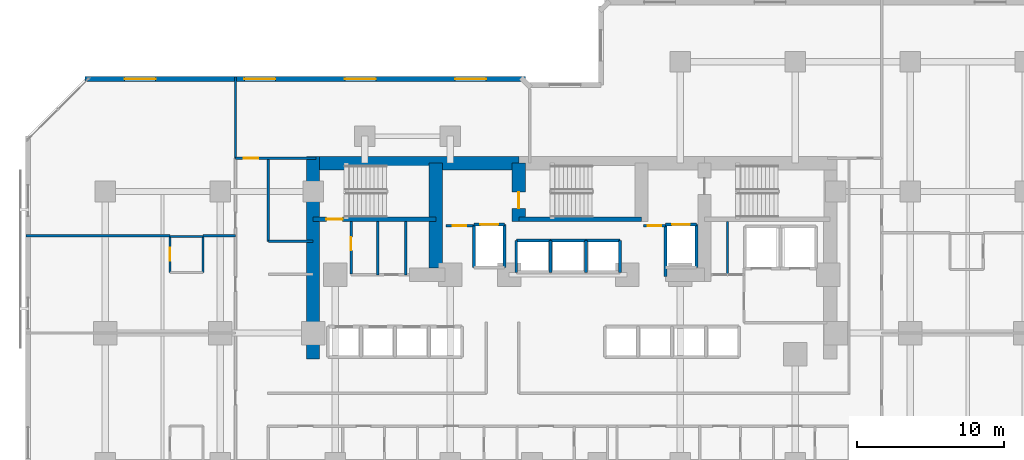
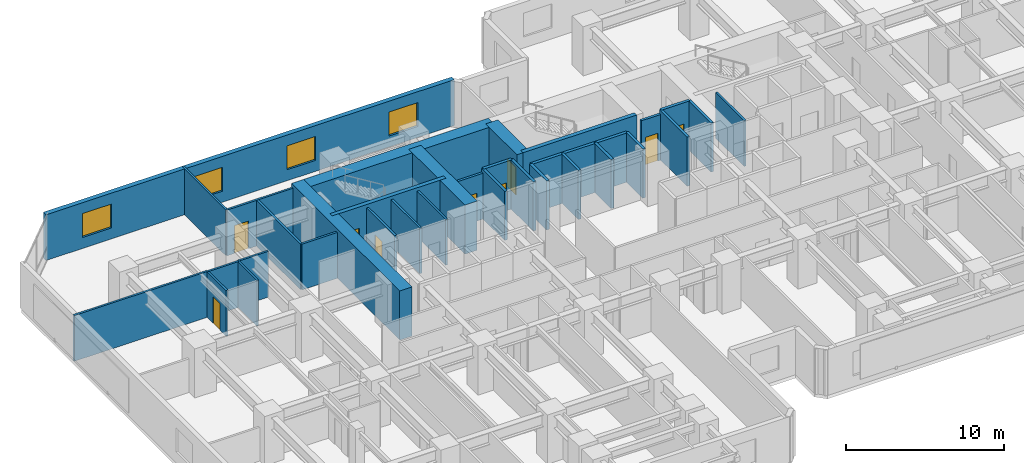
# One storey, part 8 of 12: 35 walls, 9 doors, 4 windows, 13 openings.
"""IFC4 building model written with IfcOpenShell, lengths in metres."""

from ifc_helpers import new_model, si_unit, direction, frame, frame_2d, origin, place, context, subcontext, project, spatial, rectangle, extrude, material, layer, layer_set, type_object, element, fill, save


model = new_model("IFC4")

# Units and contexts
model_context = context("Model", 3, precision=1e-05, world=origin(), true_north=direction((0.0, 1.0)))
body_context = subcontext(model_context, "Body", "Model", "MODEL_VIEW")
ifc_project = project(units=[si_unit("LENGTHUNIT", "METRE"), si_unit("AREAUNIT", "SQUARE_METRE"), si_unit("VOLUMEUNIT", "CUBIC_METRE"), si_unit("PLANEANGLEUNIT", "RADIAN"), si_unit("MASSUNIT", "GRAM", prefix="KILO")], contexts=[model_context])

# Site, building, storey
site_placement = place(None, origin())
site = spatial("IfcSite", under=ifc_project, at=site_placement, CompositionType="ELEMENT")
building_placement = place(site_placement, origin())
building = spatial("IfcBuilding", under=site, at=building_placement, Name="Kestravale Grand Hotel", CompositionType="ELEMENT")
storey_placement = place(building_placement, frame((0.0, 0.0, 41.199951171875)))
storey = spatial("IfcBuildingStorey", under=building, at=storey_placement, Name="L09", CompositionType="ELEMENT", Elevation=41.199951171875)

# Walls
ifc_material_1 = material(Name="Concrete f'c 70 MPa", Category="concrete")
ifc_layer_1 = layer(ifc_material_1, 0.89990234375)
ifc_layer_set_1 = layer_set([ifc_layer_1], Name="EW-CORE-900")
wall_type_1 = type_object("IfcWallType", Name="EW-CORE-900", PredefinedType="SHEAR", material=ifc_layer_set_1)
wall_1_placement = place(storey_placement, frame((21.449951171875, 40.320068359375, 0.0), z_axis=(0.0, 0.0, 1.0), x_axis=(1.0, 0.0, 0.0)))
element("IfcWall", 1, at=wall_1_placement, inside=storey, type_object=wall_type_1, Name="L09 core shear wall N1", PredefinedType="SHEAR", context=body_context, shape_type="SweptSolid", body=[
    extrude(rectangle(XDim=14.400146484375, YDim=0.89990234375, at=frame_2d((7.2001953125, 0.0))), origin(), (0.0, 0.0, 1.0), 3.800048828125),
])
wall_2_placement = place(storey_placement, frame((21.89990234375, 27.050048828125, 0.0), z_axis=(0.0, 0.0, 1.0), x_axis=(0.0, 1.0, 0.0)))
element("IfcWall", 2, at=wall_2_placement, inside=storey, type_object=wall_type_1, Name="L09 core shear wall W1", PredefinedType="SHEAR", context=body_context, shape_type="SweptSolid", body=[
    extrude(rectangle(XDim=13.719970703125, YDim=0.89990234375, at=frame_2d((6.85986328125, 0.0))), origin(), (0.0, 0.0, 1.0), 3.800048828125),
])
wall_3_placement = place(storey_placement, frame((30.219970703125, 33.199951171875, 0.0), z_axis=(0.0, 0.0, 1.0), x_axis=(0.0, 1.0, 0.0)))
element("IfcWall", 3, at=wall_3_placement, inside=storey, type_object=wall_type_1, Name="L09 core shear wall X1", PredefinedType="SHEAR", context=body_context, shape_type="SweptSolid", body=[
    extrude(rectangle(XDim=7.1201171875, YDim=0.89990234375, at=frame_2d((3.56005859375, 0.0))), origin(), (0.0, 0.0, 1.0), 3.800048828125),
])

# Wall, opening, door
wall_4_placement = place(storey_placement, frame((35.85009765625, 36.3701171875, 0.0), z_axis=(0.0, 0.0, 1.0), x_axis=(0.0, 1.0, 0.0)))
wall_4 = element("IfcWall", 4, at=wall_4_placement, inside=storey, type_object=wall_type_1, Name="L09 core shear wall X2", PredefinedType="SHEAR", context=body_context, shape_type="SweptSolid", body=[
    extrude(rectangle(XDim=3.949951171875, YDim=0.89990234375, at=frame_2d((1.97509765625, 0.0))), origin(), (0.0, 0.0, 1.0), 3.800048828125),
])
opening_1_placement = place(wall_4_placement, frame((0.8798828125, 0.0, 0.0)))
opening_1 = element("IfcOpeningElement", 5, at=opening_1_placement, cuts=wall_4, Name="Opening D-ST-1100", PredefinedType="OPENING", context=body_context, shape_type="SweptSolid", body=[
    extrude(rectangle(XDim=1.10009765625, YDim=2.14990234375, at=frame_2d((0.550048828125, 1.074951171875))), frame((0.0, 0.4599609375, 0.0), z_axis=(0.0, -1.0, 0.0), x_axis=(1.0, 0.0, 0.0)), (0.0, 0.0, 1.0), 0.919921875),
])
ifc_material_2 = material(Name="Galvanised 90-minute fire-rated steel stair door", Category="steel")
door_type_1 = type_object("IfcDoorType", Name="D-ST-1100", OperationType="NOTDEFINED", PredefinedType="DOOR", material=ifc_material_2)
door_1_placement = place(opening_1_placement, origin())
door_1 = element("IfcDoor", 6, at=door_1_placement, inside=storey, type_object=door_type_1, Name="L09 Stair ST-2 FSAE fire door", OperationType="SINGLE_SWING_RIGHT", OverallHeight=2.14990234375, OverallWidth=1.10009765625, PredefinedType="DOOR", context=body_context, shape_type="SweptSolid", body=[
    extrude(rectangle(XDim=1.10009765625, YDim=2.14990234375, at=frame_2d((0.550048828125, 1.074951171875))), frame((0.0, 0.02490234375, 0.0), z_axis=(0.0, -1.0, 0.0), x_axis=(1.0, 0.0, 0.0)), (0.0, 0.0, 1.0), 0.050048828125),
])
fill(opening_1, door_1)

# Wall, openings, windows
ifc_material_3 = material(Name="Precast concrete f'c 45 MPa", Category="concrete")
ifc_layer_2 = layer(ifc_material_3, 0.340087890625)
ifc_layer_set_2 = layer_set([ifc_layer_2], Name="EW-PREC-340")
wall_type_2 = type_object("IfcWallType", Name="EW-PREC-340", PredefinedType="SOLIDWALL", material=ifc_layer_set_2)
wall_5_placement = place(storey_placement, frame((36.320068359375, 46.030029296875, 0.0), z_axis=(0.0, 0.0, 1.0), x_axis=(-1.0, 0.0, 0.0)))
wall_5 = element("IfcWall", 7, at=wall_5_placement, inside=storey, type_object=wall_type_2, Name="L09 fluted precast facade wall 17", PredefinedType="SOLIDWALL", context=body_context, shape_type="SweptSolid", body=[
    extrude(rectangle(XDim=29.89013671875, YDim=0.340087890625, at=frame_2d((14.945068359375, 0.0))), origin(), (0.0, 0.0, 1.0), 3.5400390625),
])
opening_2_placement = place(wall_5_placement, frame((2.686279296875, 0.0, 0.85009765625)))
opening_2 = element("IfcOpeningElement", 8, at=opening_2_placement, cuts=wall_5, Name="Opening W-GUEST-2100", PredefinedType="OPENING", context=body_context, shape_type="SweptSolid", body=[
    extrude(rectangle(XDim=2.10009765625, YDim=1.85009765625, at=frame_2d((1.050048828125, 0.925048828125))), frame((0.0, 0.179931640625, 0.0), z_axis=(0.0, -1.0, 0.0), x_axis=(1.0, 0.0, 0.0)), (0.0, 0.0, 1.0), 0.360107421875),
])
opening_3_placement = place(wall_5_placement, frame((10.15869140625, 0.0, 0.85009765625)))
opening_3 = element("IfcOpeningElement", 9, at=opening_3_placement, cuts=wall_5, Name="Opening W-GUEST-2100", PredefinedType="OPENING", context=body_context, shape_type="SweptSolid", body=[
    extrude(rectangle(XDim=2.10009765625, YDim=1.85009765625, at=frame_2d((1.050048828125, 0.925048828125))), frame((0.0, 0.179931640625, 0.0), z_axis=(0.0, -1.0, 0.0), x_axis=(1.0, 0.0, 0.0)), (0.0, 0.0, 1.0), 0.360107421875),
])
opening_4_placement = place(wall_5_placement, frame((16.981201171875, 0.0, 0.85009765625)))
opening_4 = element("IfcOpeningElement", 10, at=opening_4_placement, cuts=wall_5, Name="Opening W-GUEST-2100", PredefinedType="OPENING", context=body_context, shape_type="SweptSolid", body=[
    extrude(rectangle(XDim=2.10009765625, YDim=1.85009765625, at=frame_2d((1.050048828125, 0.925048828125))), frame((0.0, 0.179931640625, 0.0), z_axis=(0.0, -1.0, 0.0), x_axis=(1.0, 0.0, 0.0)), (0.0, 0.0, 1.0), 0.360107421875),
])
opening_5_placement = place(wall_5_placement, frame((25.103759765625, 0.0, 0.85009765625)))
opening_5 = element("IfcOpeningElement", 11, at=opening_5_placement, cuts=wall_5, Name="Opening W-GUEST-2100", PredefinedType="OPENING", context=body_context, shape_type="SweptSolid", body=[
    extrude(rectangle(XDim=2.10009765625, YDim=1.85009765625, at=frame_2d((1.050048828125, 0.925048828125))), frame((0.0, 0.179931640625, 0.0), z_axis=(0.0, -1.0, 0.0), x_axis=(1.0, 0.0, 0.0)), (0.0, 0.0, 1.0), 0.360107421875),
])
ifc_material_4 = material(Name="Insulated low-E double glazing in aluminium frame", Category="aluminium")
window_type = type_object("IfcWindowType", Name="W-GUEST-2100", PartitioningType="DOUBLE_PANEL_VERTICAL", PredefinedType="WINDOW", material=ifc_material_4)
window_1_placement = place(opening_2_placement, origin())
window_1 = element("IfcWindow", 12, at=window_1_placement, inside=storey, type_object=window_type, Name="L09 exterior window 17.1", OverallHeight=1.85009765625, OverallWidth=2.10009765625, PartitioningType="SINGLE_PANEL", PredefinedType="WINDOW", context=body_context, shape_type="SweptSolid", body=[
    extrude(rectangle(XDim=2.10009765625, YDim=1.85009765625, at=frame_2d((1.050048828125, 0.925048828125))), frame((0.0, 0.030029296875, 0.0), z_axis=(0.0, -1.0, 0.0), x_axis=(1.0, 0.0, 0.0)), (0.0, 0.0, 1.0), 0.06005859375),
])
fill(opening_2, window_1)
window_2_placement = place(opening_3_placement, origin())
window_2 = element("IfcWindow", 13, at=window_2_placement, inside=storey, type_object=window_type, Name="L09 exterior window 17.2", OverallHeight=1.85009765625, OverallWidth=2.10009765625, PartitioningType="SINGLE_PANEL", PredefinedType="WINDOW", context=body_context, shape_type="SweptSolid", body=[
    extrude(rectangle(XDim=2.10009765625, YDim=1.85009765625, at=frame_2d((1.050048828125, 0.925048828125))), frame((0.0, 0.030029296875, 0.0), z_axis=(0.0, -1.0, 0.0), x_axis=(1.0, 0.0, 0.0)), (0.0, 0.0, 1.0), 0.06005859375),
])
fill(opening_3, window_2)
window_3_placement = place(opening_4_placement, origin())
window_3 = element("IfcWindow", 14, at=window_3_placement, inside=storey, type_object=window_type, Name="L09 exterior window 17.3", OverallHeight=1.85009765625, OverallWidth=2.10009765625, PartitioningType="SINGLE_PANEL", PredefinedType="WINDOW", context=body_context, shape_type="SweptSolid", body=[
    extrude(rectangle(XDim=2.10009765625, YDim=1.85009765625, at=frame_2d((1.050048828125, 0.925048828125))), frame((0.0, 0.030029296875, 0.0), z_axis=(0.0, -1.0, 0.0), x_axis=(1.0, 0.0, 0.0)), (0.0, 0.0, 1.0), 0.06005859375),
])
fill(opening_4, window_3)
window_4_placement = place(opening_5_placement, origin())
window_4 = element("IfcWindow", 15, at=window_4_placement, inside=storey, type_object=window_type, Name="L09 exterior window 17.4", OverallHeight=1.85009765625, OverallWidth=2.10009765625, PartitioningType="SINGLE_PANEL", PredefinedType="WINDOW", context=body_context, shape_type="SweptSolid", body=[
    extrude(rectangle(XDim=2.10009765625, YDim=1.85009765625, at=frame_2d((1.050048828125, 0.925048828125))), frame((0.0, 0.030029296875, 0.0), z_axis=(0.0, -1.0, 0.0), x_axis=(1.0, 0.0, 0.0)), (0.0, 0.0, 1.0), 0.06005859375),
])
fill(opening_5, window_4)

# Wall, opening, door
ifc_material_5 = material(Name="Concrete f'c 45 MPa", Category="concrete")
ifc_layer_3 = layer(ifc_material_5, 0.300048828125)
ifc_layer_set_3 = layer_set([ifc_layer_3], Name="EW-STAIR-300")
wall_type_3 = type_object("IfcWallType", Name="EW-STAIR-300", PredefinedType="SHEAR", material=ifc_layer_set_3)
wall_6_placement = place(storey_placement, frame((21.89990234375, 36.52001953125, 0.0), z_axis=(0.0, 0.0, 1.0), x_axis=(1.0, 0.0, 0.0)))
wall_6 = element("IfcWall", 16, at=wall_6_placement, inside=storey, type_object=wall_type_3, Name="L09 stair enclosure shear wall SST1", PredefinedType="SHEAR", context=body_context, shape_type="SweptSolid", body=[
    extrude(rectangle(XDim=8.320068359375, YDim=0.300048828125, at=frame_2d((4.16015625, 0.0))), origin(), (0.0, 0.0, 1.0), 3.800048828125),
])
opening_6_placement = place(wall_6_placement, frame((0.89990234375, 0.0, 0.0)))
opening_6 = element("IfcOpeningElement", 17, at=opening_6_placement, cuts=wall_6, Name="Opening D-ST-1100", PredefinedType="OPENING", context=body_context, shape_type="SweptSolid", body=[
    extrude(rectangle(XDim=1.10009765625, YDim=2.14990234375, at=frame_2d((0.550048828125, 1.074951171875))), frame((0.0, 0.159912109375, 0.0), z_axis=(0.0, -1.0, 0.0), x_axis=(1.0, 0.0, 0.0)), (0.0, 0.0, 1.0), 0.320068359375),
])
door_2_placement = place(opening_6_placement, origin())
door_2 = element("IfcDoor", 18, at=door_2_placement, inside=storey, type_object=door_type_1, Name="L09 Stair ST-1 fire door", OperationType="SINGLE_SWING_RIGHT", OverallHeight=2.14990234375, OverallWidth=1.10009765625, PredefinedType="DOOR", context=body_context, shape_type="SweptSolid", body=[
    extrude(rectangle(XDim=1.10009765625, YDim=2.14990234375, at=frame_2d((0.550048828125, 1.074951171875))), frame((0.0, 0.02490234375, 0.0), z_axis=(0.0, -1.0, 0.0), x_axis=(1.0, 0.0, 0.0)), (0.0, 0.0, 1.0), 0.050048828125),
])
fill(opening_6, door_2)

# Wall
wall_7_placement = place(storey_placement, frame((35.85009765625, 36.52001953125, 0.0), z_axis=(0.0, 0.0, 1.0), x_axis=(1.0, 0.0, 0.0)))
element("IfcWall", 19, at=wall_7_placement, inside=storey, type_object=wall_type_3, Name="L09 stair enclosure shear wall SST2", PredefinedType="SHEAR", context=body_context, shape_type="SweptSolid", body=[
    extrude(rectangle(XDim=8.329833984375, YDim=0.300048828125, at=frame_2d((4.1650390625, 0.0))), origin(), (0.0, 0.0, 1.0), 3.800048828125),
])

# Wall, opening, door
ifc_material_6 = material(Name="Acoustic fire-rated gypsum board partition", Category="other")
ifc_layer_4 = layer(ifc_material_6, 0.159912109375)
ifc_layer_set_4 = layer_set([ifc_layer_4], Name="IW-CORR-160")
wall_type_4 = type_object("IfcWallType", Name="IW-CORR-160", PredefinedType="PARTITIONING", material=ifc_layer_set_4)
wall_8_placement = place(storey_placement, frame((24.47998046875, 32.800048828125, 0.0), z_axis=(0.0, 0.0, 1.0), x_axis=(0.0, 1.0, 0.0)))
wall_8 = element("IfcWall", 20, at=wall_8_placement, inside=storey, type_object=wall_type_4, Name="L09 west core vestibule wall", PredefinedType="PARTITIONING", context=body_context, shape_type="SweptSolid", body=[
    extrude(rectangle(XDim=3.570068359375, YDim=0.159912109375, at=frame_2d((1.78515625, 0.0))), origin(), (0.0, 0.0, 1.0), 3.5400390625),
])
opening_7_placement = place(wall_8_placement, frame((1.603515625, 0.0, 0.0)))
opening_7 = element("IfcOpeningElement", 21, at=opening_7_placement, cuts=wall_8, Name="Opening D-SH-900", PredefinedType="OPENING", context=body_context, shape_type="SweptSolid", body=[
    extrude(rectangle(XDim=0.89990234375, YDim=2.10009765625, at=frame_2d((0.449951171875, 1.050048828125))), frame((0.0, 0.08984375, 0.0), z_axis=(0.0, -1.0, 0.0), x_axis=(1.0, 0.0, 0.0)), (0.0, 0.0, 1.0), 0.179931640625),
])
ifc_material_7 = material(Name="Galvanised 90-minute shaft and service fire door", Category="steel")
door_type_2 = type_object("IfcDoorType", Name="D-SH-900", OperationType="NOTDEFINED", PredefinedType="DOOR", material=ifc_material_7)
door_3_placement = place(opening_7_placement, origin())
door_3 = element("IfcDoor", 22, at=door_3_placement, inside=storey, type_object=door_type_2, Name="D-L09-HK", OperationType="SINGLE_SWING_RIGHT", OverallHeight=2.10009765625, OverallWidth=0.89990234375, PredefinedType="DOOR", context=body_context, shape_type="SweptSolid", body=[
    extrude(rectangle(XDim=0.89990234375, YDim=2.10009765625, at=frame_2d((0.449951171875, 1.050048828125))), frame((0.0, 0.02490234375, 0.0), z_axis=(0.0, -1.0, 0.0), x_axis=(1.0, 0.0, 0.0)), (0.0, 0.0, 1.0), 0.050048828125),
])
fill(opening_7, door_3)

# Walls
wall_9_placement = place(storey_placement, frame((18.860107421875, 35.02001953125, 0.0), z_axis=(0.0, 0.0, 1.0), x_axis=(0.0, 1.0, 0.0)))
element("IfcWall", 23, at=wall_9_placement, inside=storey, type_object=wall_type_4, Name="W-L09-SW-EN", PredefinedType="PARTITIONING", context=body_context, shape_type="SweptSolid", body=[
    extrude(rectangle(XDim=5.6298828125, YDim=0.159912109375, at=frame_2d((2.81494140625, 0.0))), origin(), (0.0, 0.0, 1.0), 3.5400390625),
])
wall_10_placement = place(storey_placement, frame((18.860107421875, 35.02001953125, 0.0), z_axis=(0.0, 0.0, 1.0), x_axis=(1.0, 0.0, 0.0)))
element("IfcWall", 24, at=wall_10_placement, inside=storey, type_object=wall_type_4, Name="W-L09-SW-CN", PredefinedType="PARTITIONING", context=body_context, shape_type="SweptSolid", body=[
    extrude(rectangle(XDim=3.039794921875, YDim=0.159912109375, at=frame_2d((1.52001953125, 0.0))), origin(), (0.0, 0.0, 1.0), 3.5400390625),
])

# Wall, opening, door
ifc_material_8 = material(Name="Fire-rated gypsum board on steel studs with mineral wool", Category="steel")
ifc_layer_5 = layer(ifc_material_8, 0.179931640625)
ifc_layer_set_5 = layer_set([ifc_layer_5], Name="IW-FSAE-180")
wall_type_5 = type_object("IfcWallType", Name="IW-FSAE-180", PredefinedType="PARTITIONING", material=ifc_layer_set_5)
wall_11_placement = place(storey_placement, frame((30.89990234375, 36.080078125, 0.0), z_axis=(0.0, 0.0, 1.0), x_axis=(1.0, 0.0, 0.0)))
wall_11 = element("IfcWall", 25, at=wall_11_placement, inside=storey, type_object=wall_type_5, Name="L09 FSAE Lobby 1 smoke barrier", PredefinedType="PARTITIONING", context=body_context, shape_type="SweptSolid", body=[
    extrude(rectangle(XDim=1.85009765625, YDim=0.179931640625, at=frame_2d((0.925048828125, 0.0))), origin(), (0.0, 0.0, 1.0), 3.5400390625),
])
opening_8_placement = place(wall_11_placement, frame((0.47998046875, 0.0, 0.0)))
opening_8 = element("IfcOpeningElement", 26, at=opening_8_placement, cuts=wall_11, Name="Opening D-FSAE-1000", PredefinedType="OPENING", context=body_context, shape_type="SweptSolid", body=[
    extrude(rectangle(XDim=0.89990234375, YDim=2.14990234375, at=frame_2d((0.449951171875, 1.074951171875))), frame((0.0, 0.099853515625, 0.0), z_axis=(0.0, -1.0, 0.0), x_axis=(1.0, 0.0, 0.0)), (0.0, 0.0, 1.0), 0.199951171875),
])
ifc_material_9 = material(Name="Smoke-gasketed FSAE lobby fire door", Category="steel")
door_type_3 = type_object("IfcDoorType", Name="D-FSAE-1000", OperationType="NOTDEFINED", PredefinedType="DOOR", material=ifc_material_9)
door_4_placement = place(opening_8_placement, origin())
door_4 = element("IfcDoor", 27, at=door_4_placement, inside=storey, type_object=door_type_3, Name="L09 FSAE Lobby 1 fire door", OperationType="SINGLE_SWING_RIGHT", OverallHeight=2.14990234375, OverallWidth=0.89990234375, PredefinedType="DOOR", context=body_context, shape_type="SweptSolid", body=[
    extrude(rectangle(XDim=0.89990234375, YDim=2.14990234375, at=frame_2d((0.449951171875, 1.074951171875))), frame((0.0, 0.02490234375, 0.0), z_axis=(0.0, -1.0, 0.0), x_axis=(1.0, 0.0, 0.0)), (0.0, 0.0, 1.0), 0.050048828125),
])
fill(opening_8, door_4)

wall_12_placement = place(storey_placement, frame((44.300048828125, 36.080078125, 0.0), z_axis=(0.0, 0.0, 1.0), x_axis=(1.0, 0.0, 0.0)))
wall_12 = element("IfcWall", 28, at=wall_12_placement, inside=storey, type_object=wall_type_5, Name="L09 FSAE Lobby 2 smoke barrier", PredefinedType="PARTITIONING", context=body_context, shape_type="SweptSolid", body=[
    extrude(rectangle(XDim=1.5, YDim=0.179931640625, at=frame_2d((0.75, 0.0))), origin(), (0.0, 0.0, 1.0), 3.5400390625),
])
opening_9_placement = place(wall_12_placement, frame((0.300048828125, 0.0, 0.0)))
opening_9 = element("IfcOpeningElement", 29, at=opening_9_placement, cuts=wall_12, Name="Opening D-FSAE-1000", PredefinedType="OPENING", context=body_context, shape_type="SweptSolid", body=[
    extrude(rectangle(XDim=0.89990234375, YDim=2.14990234375, at=frame_2d((0.449951171875, 1.074951171875))), frame((0.0, 0.099853515625, 0.0), z_axis=(0.0, -1.0, 0.0), x_axis=(1.0, 0.0, 0.0)), (0.0, 0.0, 1.0), 0.199951171875),
])
door_5_placement = place(opening_9_placement, origin())
door_5 = element("IfcDoor", 30, at=door_5_placement, inside=storey, type_object=door_type_3, Name="L09 FSAE Lobby 2 fire door", OperationType="SINGLE_SWING_LEFT", OverallHeight=2.14990234375, OverallWidth=0.89990234375, PredefinedType="DOOR", context=body_context, shape_type="SweptSolid", body=[
    extrude(rectangle(XDim=0.89990234375, YDim=2.14990234375, at=frame_2d((0.449951171875, 1.074951171875))), frame((0.0, 0.02490234375, 0.0), z_axis=(0.0, -1.0, 0.0), x_axis=(1.0, 0.0, 0.0)), (0.0, 0.0, 1.0), 0.050048828125),
])
fill(opening_9, door_5)

ifc_material_10 = material(Name="Moisture-resistant tile-backer plumbing chase wall", Category="other")
ifc_layer_6 = layer(ifc_material_10, 0.139892578125)
ifc_layer_set_6 = layer_set([ifc_layer_6], Name="IW-PLB-140")
wall_type_6 = type_object("IfcWallType", Name="IW-PLB-140", PredefinedType="PLUMBINGWALL", material=ifc_layer_set_6)
wall_13_placement = place(storey_placement, frame((12.199951171875, 32.909912109375, 0.0), z_axis=(0.0, 0.0, 1.0), x_axis=(0.0, 1.0, 0.0)))
wall_13 = element("IfcWall", 31, at=wall_13_placement, inside=storey, type_object=wall_type_6, Name="W-L09-U09-BW", PredefinedType="PLUMBINGWALL", context=body_context, shape_type="SweptSolid", body=[
    extrude(rectangle(XDim=2.4501953125, YDim=0.139892578125, at=frame_2d((1.22509765625, 0.0))), origin(), (0.0, 0.0, 1.0), 3.5400390625),
])
opening_10_placement = place(wall_13_placement, frame((0.784912109375, 0.0, 0.0)))
opening_10 = element("IfcOpeningElement", 32, at=opening_10_placement, cuts=wall_13, Name="Opening D-BATH-880", PredefinedType="OPENING", context=body_context, shape_type="SweptSolid", body=[
    extrude(rectangle(XDim=0.8798828125, YDim=2.050048828125, at=frame_2d((0.43994140625, 1.02490234375))), frame((0.0, 0.079833984375, 0.0), z_axis=(0.0, -1.0, 0.0), x_axis=(1.0, 0.0, 0.0)), (0.0, 0.0, 1.0), 0.159912109375),
])
ifc_material_11 = material(Name="Moisture-sealed walnut en-suite bathroom door", Category="wood")
door_type_4 = type_object("IfcDoorType", Name="D-BATH-880", OperationType="NOTDEFINED", PredefinedType="DOOR", material=ifc_material_11)
door_6_placement = place(opening_10_placement, origin())
door_6 = element("IfcDoor", 33, at=door_6_placement, inside=storey, type_object=door_type_4, Name="D-L09-U09-BATH", OperationType="SINGLE_SWING_LEFT", OverallHeight=2.050048828125, OverallWidth=0.8798828125, PredefinedType="DOOR", context=body_context, shape_type="SweptSolid", body=[
    extrude(rectangle(XDim=0.8798828125, YDim=2.050048828125, at=frame_2d((0.43994140625, 1.02490234375))), frame((0.0, 0.02490234375, 0.0), z_axis=(0.0, -1.0, 0.0), x_axis=(1.0, 0.0, 0.0)), (0.0, 0.0, 1.0), 0.050048828125),
])
fill(opening_10, door_6)

# Walls
wall_14_placement = place(storey_placement, frame((14.449951171875, 32.909912109375, 0.0), z_axis=(0.0, 0.0, 1.0), x_axis=(0.0, 1.0, 0.0)))
element("IfcWall", 34, at=wall_14_placement, inside=storey, type_object=wall_type_6, Name="W-L09-U09-BE", PredefinedType="PLUMBINGWALL", context=body_context, shape_type="SweptSolid", body=[
    extrude(rectangle(XDim=2.4501953125, YDim=0.139892578125, at=frame_2d((1.22509765625, 0.0))), origin(), (0.0, 0.0, 1.0), 3.5400390625),
])
wall_15_placement = place(storey_placement, frame((12.199951171875, 35.360107421875, 0.0), z_axis=(0.0, 0.0, 1.0), x_axis=(1.0, 0.0, 0.0)))
element("IfcWall", 35, at=wall_15_placement, inside=storey, type_object=wall_type_6, Name="W-L09-U09-BN", PredefinedType="PLUMBINGWALL", context=body_context, shape_type="SweptSolid", body=[
    extrude(rectangle(XDim=2.25, YDim=0.139892578125, at=frame_2d((1.125, 0.0))), origin(), (0.0, 0.0, 1.0), 3.5400390625),
])
ifc_material_12 = material(Name="Concrete f'c 45 MPa", Category="concrete")
ifc_layer_7 = layer(ifc_material_12, 0.199951171875)
ifc_layer_set_7 = layer_set([ifc_layer_7], Name="IW-SHAFT-200")
wall_type_7 = type_object("IfcWallType", Name="IW-SHAFT-200", PredefinedType="SHEAR", material=ifc_layer_set_7)
for number, where, z_axis, x_axis, name in (
    (36, (35.679931640625, 32.919921875, 0.0), (0.0, 0.0, 1.0), (0.0, 1.0, 0.0), "L09 PL-X1 west shaft wall"),
    (37, (38.0, 32.919921875, 0.0), (0.0, 0.0, 1.0), (0.0, 1.0, 0.0), "L09 PL-X2 west shaft wall"),
    (38, (40.39990234375, 32.919921875, 0.0), (0.0, 0.0, 1.0), (0.0, 1.0, 0.0), "L09 PL-X3 west shaft wall"),
    (39, (42.719970703125, 32.919921875, 0.0), (0.0, 0.0, 1.0), (0.0, 1.0, 0.0), "L09 PL-X3 east shaft wall"),
):
    element("IfcWall", number, at=place(storey_placement, frame(where, z_axis=z_axis, x_axis=x_axis)), inside=storey, type_object=wall_type_7, Name=name, PredefinedType="SHEAR", context=body_context, shape_type="SweptSolid", body=[
        extrude(rectangle(XDim=2.16015625, YDim=0.199951171875, at=frame_2d((1.080078125, 0.0))), origin(), (0.0, 0.0, 1.0), 3.800048828125),
    ])
for number, where, z_axis, x_axis, name in (
    (40, (32.804931640625, 33.2451171875, 0.0), (0.0, 0.0, 1.0), (0.0, 1.0, 0.0), "L09 FL-1 west shaft wall"),
    (41, (34.89501953125, 33.2451171875, 0.0), (0.0, 0.0, 1.0), (0.0, 1.0, 0.0), "L09 FL-1 east shaft wall"),
):
    element("IfcWall", number, at=place(storey_placement, frame(where, z_axis=z_axis, x_axis=x_axis)), inside=storey, type_object=wall_type_7, Name=name, PredefinedType="SHEAR", context=body_context, shape_type="SweptSolid", body=[
        extrude(rectangle(XDim=2.909912109375, YDim=0.199951171875, at=frame_2d((1.455078125, 0.0))), origin(), (0.0, 0.0, 1.0), 3.800048828125),
    ])
wall_16_placement = place(storey_placement, frame((45.804931640625, 32.64990234375, 0.0), z_axis=(0.0, 0.0, 1.0), x_axis=(0.0, 1.0, 0.0)))
element("IfcWall", 42, at=wall_16_placement, inside=storey, type_object=wall_type_7, Name="L09 FL-2 west shaft wall", PredefinedType="SHEAR", context=body_context, shape_type="SweptSolid", body=[
    extrude(rectangle(XDim=3.505126953125, YDim=0.199951171875, at=frame_2d((1.75244140625, 0.0))), origin(), (0.0, 0.0, 1.0), 3.800048828125),
])
wall_17_placement = place(storey_placement, frame((47.89501953125, 33.2451171875, 0.0), z_axis=(0.0, 0.0, 1.0), x_axis=(0.0, 1.0, 0.0)))
element("IfcWall", 43, at=wall_17_placement, inside=storey, type_object=wall_type_7, Name="L09 FL-2 east shaft wall", PredefinedType="SHEAR", context=body_context, shape_type="SweptSolid", body=[
    extrude(rectangle(XDim=2.909912109375, YDim=0.199951171875, at=frame_2d((1.455078125, 0.0))), origin(), (0.0, 0.0, 1.0), 3.800048828125),
])
ifc_material_13 = material(Name="Concrete f'c 45 MPa", Category="concrete")
ifc_layer_8 = layer(ifc_material_13, 0.219970703125)
ifc_layer_set_8 = layer_set([ifc_layer_8], Name="IW-SHAFT-220")
wall_type_8 = type_object("IfcWallType", Name="IW-SHAFT-220", PredefinedType="SHEAR", material=ifc_layer_set_8)
wall_18_placement = place(storey_placement, frame((35.679931640625, 35.080078125, 0.0), z_axis=(0.0, 0.0, 1.0), x_axis=(1.0, 0.0, 0.0)))
element("IfcWall", 44, at=wall_18_placement, inside=storey, type_object=wall_type_8, Name="L09 PL-X1 north shaft wall", PredefinedType="SHEAR", context=body_context, shape_type="SweptSolid", body=[
    extrude(rectangle(XDim=2.320068359375, YDim=0.219970703125, at=frame_2d((1.16015625, 0.0))), origin(), (0.0, 0.0, 1.0), 3.800048828125),
])
wall_19_placement = place(storey_placement, frame((38.0, 35.080078125, 0.0), z_axis=(0.0, 0.0, 1.0), x_axis=(1.0, 0.0, 0.0)))
element("IfcWall", 45, at=wall_19_placement, inside=storey, type_object=wall_type_8, Name="L09 PL-X2 north shaft wall", PredefinedType="SHEAR", context=body_context, shape_type="SweptSolid", body=[
    extrude(rectangle(XDim=2.39990234375, YDim=0.219970703125, at=frame_2d((1.199951171875, 0.0))), origin(), (0.0, 0.0, 1.0), 3.800048828125),
])
wall_20_placement = place(storey_placement, frame((40.39990234375, 35.080078125, 0.0), z_axis=(0.0, 0.0, 1.0), x_axis=(1.0, 0.0, 0.0)))
element("IfcWall", 46, at=wall_20_placement, inside=storey, type_object=wall_type_8, Name="L09 PL-X3 north shaft wall", PredefinedType="SHEAR", context=body_context, shape_type="SweptSolid", body=[
    extrude(rectangle(XDim=2.320068359375, YDim=0.219970703125, at=frame_2d((1.16015625, 0.0))), origin(), (0.0, 0.0, 1.0), 3.800048828125),
])

# Wall, opening, door
wall_21_placement = place(storey_placement, frame((32.804931640625, 36.155029296875, 0.0), z_axis=(0.0, 0.0, 1.0), x_axis=(1.0, 0.0, 0.0)))
wall_21 = element("IfcWall", 47, at=wall_21_placement, inside=storey, type_object=wall_type_8, Name="L09 FL-1 north shaft wall", PredefinedType="SHEAR", context=body_context, shape_type="SweptSolid", body=[
    extrude(rectangle(XDim=2.090087890625, YDim=0.219970703125, at=frame_2d((1.044921875, 0.0))), origin(), (0.0, 0.0, 1.0), 3.800048828125),
])
opening_11_placement = place(wall_21_placement, frame((0.445068359375, 0.0, 0.0)))
opening_11 = element("IfcOpeningElement", 48, at=opening_11_placement, cuts=wall_21, Name="Opening LD-FSAE-1200", PredefinedType="OPENING", context=body_context, shape_type="SweptSolid", body=[
    extrude(rectangle(XDim=1.199951171875, YDim=2.14990234375, at=frame_2d((0.60009765625, 1.074951171875))), frame((0.0, 0.119873046875, 0.0), z_axis=(0.0, -1.0, 0.0), x_axis=(1.0, 0.0, 0.0)), (0.0, 0.0, 1.0), 0.239990234375),
])
ifc_material_14 = material(Name="Stainless fire-service sliding elevator landing door", Category="steel")
door_type_5 = type_object("IfcDoorType", Name="LD-FSAE-1200", OperationType="NOTDEFINED", PredefinedType="DOOR", material=ifc_material_14)
door_7_placement = place(opening_11_placement, origin())
door_7 = element("IfcDoor", 49, at=door_7_placement, inside=storey, type_object=door_type_5, Name="L09 FL-1 elevator landing sliding door", OperationType="DOUBLE_DOOR_SLIDING", OverallHeight=2.14990234375, OverallWidth=1.199951171875, PredefinedType="DOOR", context=body_context, shape_type="SweptSolid", body=[
    extrude(rectangle(XDim=1.199951171875, YDim=2.14990234375, at=frame_2d((0.60009765625, 1.074951171875))), frame((0.0, 0.02490234375, 0.0), z_axis=(0.0, -1.0, 0.0), x_axis=(1.0, 0.0, 0.0)), (0.0, 0.0, 1.0), 0.050048828125),
])
fill(opening_11, door_7)

wall_22_placement = place(storey_placement, frame((45.804931640625, 36.155029296875, 0.0), z_axis=(0.0, 0.0, 1.0), x_axis=(1.0, 0.0, 0.0)))
wall_22 = element("IfcWall", 50, at=wall_22_placement, inside=storey, type_object=wall_type_8, Name="L09 FL-2 north shaft wall", PredefinedType="SHEAR", context=body_context, shape_type="SweptSolid", body=[
    extrude(rectangle(XDim=2.090087890625, YDim=0.219970703125, at=frame_2d((1.044921875, 0.0))), origin(), (0.0, 0.0, 1.0), 3.800048828125),
])
opening_12_placement = place(wall_22_placement, frame((0.445068359375, 0.0, 0.0)))
opening_12 = element("IfcOpeningElement", 51, at=opening_12_placement, cuts=wall_22, Name="Opening LD-FSAE-1200", PredefinedType="OPENING", context=body_context, shape_type="SweptSolid", body=[
    extrude(rectangle(XDim=1.199951171875, YDim=2.14990234375, at=frame_2d((0.60009765625, 1.074951171875))), frame((0.0, 0.119873046875, 0.0), z_axis=(0.0, -1.0, 0.0), x_axis=(1.0, 0.0, 0.0)), (0.0, 0.0, 1.0), 0.239990234375),
])
door_8_placement = place(opening_12_placement, origin())
door_8 = element("IfcDoor", 52, at=door_8_placement, inside=storey, type_object=door_type_5, Name="L09 FL-2 elevator landing sliding door", OperationType="DOUBLE_DOOR_SLIDING", OverallHeight=2.14990234375, OverallWidth=1.199951171875, PredefinedType="DOOR", context=body_context, shape_type="SweptSolid", body=[
    extrude(rectangle(XDim=1.199951171875, YDim=2.14990234375, at=frame_2d((0.60009765625, 1.074951171875))), frame((0.0, 0.02490234375, 0.0), z_axis=(0.0, -1.0, 0.0), x_axis=(1.0, 0.0, 0.0)), (0.0, 0.0, 1.0), 0.050048828125),
])
fill(opening_12, door_8)

# Walls
ifc_material_15 = material(Name="Double-stud STC 52 acoustic demising partition", Category="other")
ifc_layer_9 = layer(ifc_material_15, 0.14990234375)
ifc_layer_set_9 = layer_set([ifc_layer_9], Name="IW-UNIT-150")
wall_type_9 = type_object("IfcWallType", Name="IW-UNIT-150", PredefinedType="PARTITIONING", material=ifc_layer_set_9)
for number, where, z_axis, x_axis, name in (
    (53, (26.280029296875, 32.75, 0.0), (0.0, 0.0, 1.0), (0.0, 1.0, 0.0), "W-L09-CC1-1"),
    (54, (28.179931640625, 32.75, 0.0), (0.0, 0.0, 1.0), (0.0, 1.0, 0.0), "W-L09-CC1-2"),
    (55, (50.010009765625, 32.75, 0.0), (0.0, 0.0, 1.0), (0.0, 1.0, 0.0), "W-L09-CC1-EM"),
):
    element("IfcWall", number, at=place(storey_placement, frame(where, z_axis=z_axis, x_axis=x_axis)), inside=storey, type_object=wall_type_9, Name=name, PredefinedType="PARTITIONING", context=body_context, shape_type="SweptSolid", body=[
        extrude(rectangle(XDim=3.6201171875, YDim=0.14990234375, at=frame_2d((1.81005859375, 0.0))), origin(), (0.0, 0.0, 1.0), 3.5400390625),
    ])

# Wall, opening, door
wall_23_placement = place(storey_placement, frame((16.639892578125, 40.64990234375, 0.0), z_axis=(0.0, 0.0, 1.0), x_axis=(1.0, 0.0, 0.0)))
wall_23 = element("IfcWall", 56, at=wall_23_placement, inside=storey, type_object=wall_type_9, Name="W-L09-SW-N", PredefinedType="PARTITIONING", context=body_context, shape_type="SweptSolid", body=[
    extrude(rectangle(XDim=5.460205078125, YDim=0.14990234375, at=frame_2d((2.72998046875, 0.0))), origin(), (0.0, 0.0, 1.0), 3.5400390625),
])
opening_13_placement = place(wall_23_placement, frame((0.550048828125, 0.0, 0.0)))
opening_13 = element("IfcOpeningElement", 57, at=opening_13_placement, cuts=wall_23, Name="Opening D-GUEST-1000", PredefinedType="OPENING", context=body_context, shape_type="SweptSolid", body=[
    extrude(rectangle(XDim=1.0, YDim=2.14990234375, at=frame_2d((0.5, 1.074951171875))), frame((0.0, 0.0849609375, 0.0), z_axis=(0.0, -1.0, 0.0), x_axis=(1.0, 0.0, 0.0)), (0.0, 0.0, 1.0), 0.169921875),
])
ifc_material_16 = material(Name="Accessible walnut veneer hotel entrance fire door", Category="wood")
door_type_6 = type_object("IfcDoorType", Name="D-GUEST-1000", OperationType="NOTDEFINED", PredefinedType="DOOR", material=ifc_material_16)
door_9_placement = place(opening_13_placement, origin())
door_9 = element("IfcDoor", 58, at=door_9_placement, inside=storey, type_object=door_type_6, Name="L09 NW Gallery Door", OperationType="SINGLE_SWING_RIGHT", OverallHeight=2.14990234375, OverallWidth=1.0, PredefinedType="DOOR", context=body_context, shape_type="SweptSolid", body=[
    extrude(rectangle(XDim=1.0, YDim=2.14990234375, at=frame_2d((0.5, 1.074951171875))), frame((0.0, 0.02490234375, 0.0), z_axis=(0.0, -1.0, 0.0), x_axis=(1.0, 0.0, 0.0)), (0.0, 0.0, 1.0), 0.050048828125),
])
fill(opening_13, door_9)

# Walls
wall_24_placement = place(storey_placement, frame((16.639892578125, 40.64990234375, 0.0), z_axis=(0.0, 0.0, 1.0), x_axis=(0.0, 1.0, 0.0)))
element("IfcWall", 59, at=wall_24_placement, inside=storey, type_object=wall_type_9, Name="W-L09-NGW-W", PredefinedType="PARTITIONING", context=body_context, shape_type="SweptSolid", body=[
    extrude(rectangle(XDim=5.530029296875, YDim=0.14990234375, at=frame_2d((2.76513671875, 0.0))), origin(), (0.0, 0.0, 1.0), 3.5400390625),
])
wall_25_placement = place(storey_placement, frame((2.419921875, 35.39990234375, 0.0), z_axis=(0.0, 0.0, 1.0), x_axis=(1.0, 0.0, 0.0)))
element("IfcWall", 60, at=wall_25_placement, inside=storey, type_object=wall_type_9, Name="W-L09-WW-4", PredefinedType="PARTITIONING", context=body_context, shape_type="SweptSolid", body=[
    extrude(rectangle(XDim=9.780029296875, YDim=0.14990234375, at=frame_2d((4.89013671875, 0.0))), origin(), (0.0, 0.0, 1.0), 3.5400390625),
])
wall_26_placement = place(storey_placement, frame((14.449951171875, 35.39990234375, 0.0), z_axis=(0.0, 0.0, 1.0), x_axis=(1.0, 0.0, 0.0)))
element("IfcWall", 61, at=wall_26_placement, inside=storey, type_object=wall_type_9, Name="W-L09-WW-4", PredefinedType="PARTITIONING", context=body_context, shape_type="SweptSolid", body=[
    extrude(rectangle(XDim=2.18994140625, YDim=0.14990234375, at=frame_2d((1.094970703125, 0.0))), origin(), (0.0, 0.0, 1.0), 3.5400390625),
])

save(model, "model.ifc")
